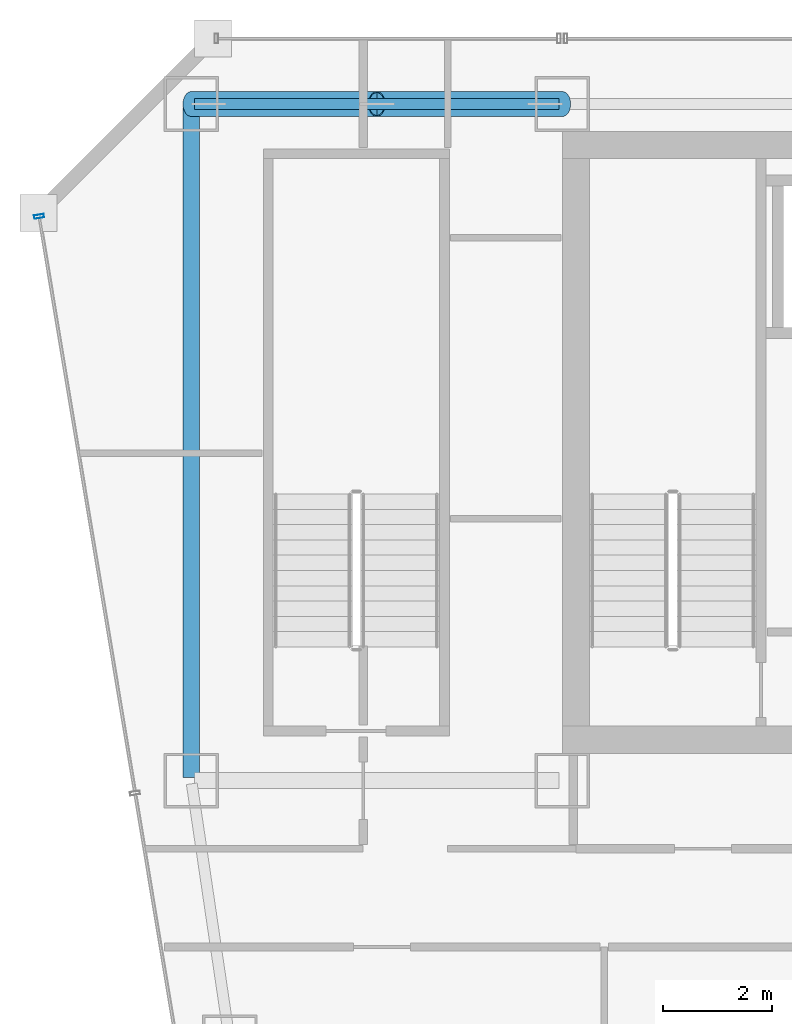
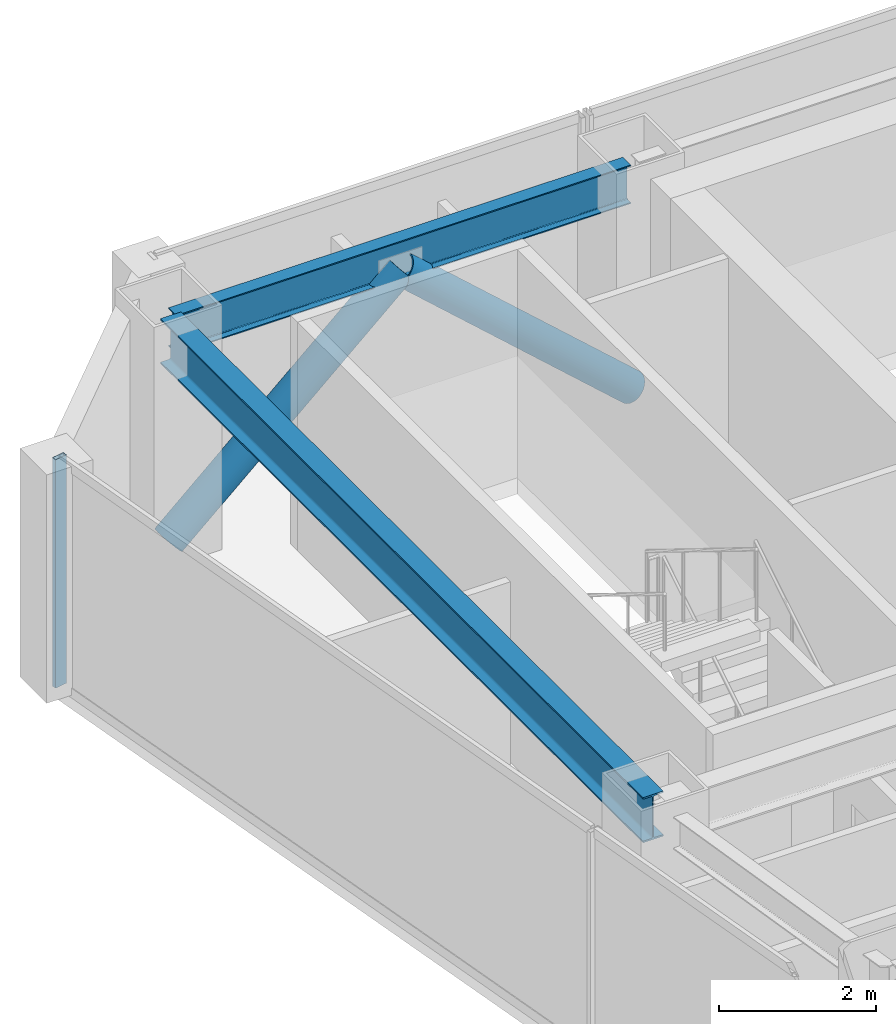
# One storey, part 20 of 36: 3 members, 2 beams, 1 element without a shape of its own.
"""IFC4 building model written with IfcOpenShell, lengths in metres."""

from ifc_helpers import new_model, si_unit, direction, frame, origin, origin_2d, place, context, subcontext, project, spatial, hollow_rectangle, hollow_circle, i_section, extrude, material, material_profile, profile_set, type_object, element, aggregate, save


model = new_model("IFC4")

# Units and contexts
model_context = context("Model", 3, precision=1e-05, world=origin(), true_north=direction((0.0, 1.0)))
body_context = subcontext(model_context, "Body", "Model", "MODEL_VIEW")
ifc_project = project(units=[si_unit("LENGTHUNIT", "METRE"), si_unit("AREAUNIT", "SQUARE_METRE"), si_unit("VOLUMEUNIT", "CUBIC_METRE"), si_unit("PLANEANGLEUNIT", "RADIAN"), si_unit("MASSUNIT", "GRAM", prefix="KILO")], contexts=[model_context])

# Site, building, storey
site_placement = place(None, origin())
site = spatial("IfcSite", under=ifc_project, at=site_placement, CompositionType="ELEMENT")
building_placement = place(site_placement, origin())
building = spatial("IfcBuilding", under=site, at=building_placement, Name="Saevonmaru Cultural Tower", CompositionType="ELEMENT")
storey_placement = place(building_placement, frame((0.0, 0.0, 152.39990234375)))
storey = spatial("IfcBuildingStorey", under=building, at=storey_placement, Name="L33", CompositionType="ELEMENT", Elevation=152.39990234375)

# Beams
ifc_material_1 = material(Name="Steel SM355", Category="steel")
ifc_material_profile_1 = material_profile(ifc_material_1, i_section(OverallWidth=0.300048828125, OverallDepth=0.699951171875, WebThickness=0.012939453125, FlangeThickness=0.02392578125, FilletRadius=0.02587890625, at=origin_2d()), Name="H-700x300x13x24")
ifc_profile_set_1 = profile_set([ifc_material_profile_1], Name="Steel SM355")
beam_type_1 = type_object("IfcBeamType", Name="BM-G-H700", PredefinedType="BEAM", material=ifc_profile_set_1)
beam_1_placement = place(storey_placement, frame((6.800048828125, 54.739990234375, 3.2001953125), z_axis=(0.0, -1.0, 0.0), x_axis=(1.0, 0.0, 0.0)))
element("IfcBeam", 1, at=beam_1_placement, inside=storey, type_object=beam_type_1, Name="L33 Spine Transverse Girder W", PredefinedType="BEAM", context=body_context, shape_type="SweptSolid", body=[
    extrude(i_section(OverallWidth=0.300048828125, OverallDepth=0.699951171875, WebThickness=0.012939453125, FlangeThickness=0.02392578125, FilletRadius=0.02587890625, at=origin_2d()), origin(), (0.0, 0.0, 1.0), 12.280029296875),
])
ifc_material_profile_2 = material_profile(ifc_material_1, i_section(OverallWidth=0.199951171875, OverallDepth=0.60009765625, WebThickness=0.010986328125, FlangeThickness=0.01708984375, FilletRadius=0.02197265625, at=origin_2d()), Name="H-600x200x11x17")
ifc_profile_set_2 = profile_set([ifc_material_profile_2], Name="Steel SM355")
beam_type_2 = type_object("IfcBeamType", Name="BM-SP-H600", PredefinedType="SPANDREL", material=ifc_profile_set_2)
beam_2_placement = place(storey_placement, frame((6.860107421875, 54.800048828125, 3.25), z_axis=(1.0, 0.0, 0.0), x_axis=(0.0, 1.0, 0.0)))
element("IfcBeam", 2, at=beam_2_placement, inside=storey, type_object=beam_type_2, Name="L33 North Spine Girder 1", PredefinedType="SPANDREL", context=body_context, shape_type="SweptSolid", body=[
    extrude(i_section(OverallWidth=0.199951171875, OverallDepth=0.60009765625, WebThickness=0.010986328125, FlangeThickness=0.01708984375, FilletRadius=0.02197265625, at=origin_2d()), origin(), (0.0, 0.0, 1.0), 6.679931640625),
])

# Members
ifc_material_2 = material(Name="Steel SM420", Category="steel")
ifc_material_profile_3 = material_profile(ifc_material_2, hollow_circle(Radius=0.228515625, WallThickness=0.02001953125, at=origin_2d()), Name="CHS-457.2x20")
ifc_profile_set_3 = profile_set([ifc_material_profile_3], Name="Steel SM420")
member_type_1 = type_object("IfcMemberType", Name="MB-PBR-CHS457", PredefinedType="BRACE", material=ifc_profile_set_3)
for number, where, z_axis, x_axis, name in (
    (3, (6.800048828125, 54.800048828125, 0.02001953125), (0.744366945704, 0.0, 0.667770806597), (0.0, 1.0, 0.0), "L33 Perimeter Braced-Tube Diagonal WN1"),
    (4, (13.60009765625, 54.800048828125, 0.02001953125), (-0.744390779303, 0.0, 0.66774423823), (0.0, -1.0, 0.0), "L33 Perimeter Braced-Tube Diagonal WN2"),
):
    element("IfcMember", number, at=place(storey_placement, frame(where, z_axis=z_axis, x_axis=x_axis)), inside=storey, type_object=member_type_1, Name=name, PredefinedType="BRACE", context=body_context, shape_type="SweptSolid", body=[
        extrude(hollow_circle(Radius=0.228515625, WallThickness=0.02001953125, at=origin_2d()), origin(), (0.0, 0.0, 1.0), 4.567626953125),
    ])

# Curtain wall, member
ifc_material_3 = material(Name="Satin Bronze Anodised Aluminium", Category="aluminium")
curtain_wall_type = type_object("IfcCurtainWallType", Name="CW-TYP-A", PredefinedType="NOTDEFINED", material=ifc_material_3)
curtain_wall_placement = place(storey_placement, origin())
curtain_wall = element("IfcCurtainWall", 5, at=curtain_wall_placement, inside=storey, type_object=curtain_wall_type, Name="L33 Unitised Curtain Wall E12", PredefinedType="NOTDEFINED")
ifc_material_profile_4 = material_profile(ifc_material_3, hollow_rectangle(XDim=0.06494140625, YDim=0.179931640625, WallThickness=0.00390625, at=origin_2d()), Name="ALU-MULL-180x65x4")
ifc_profile_set_4 = profile_set([ifc_material_profile_4], Name="Satin Bronze Anodised Aluminium")
member_type_2 = type_object("IfcMemberType", Name="ML-CW-180x65", PredefinedType="MULLION", material=ifc_profile_set_4)
member_placement = place(storey_placement, frame((4.009765625, 52.74072265625, 0.0), z_axis=(0.0, 0.0, 1.0), x_axis=(0.163998702345, -0.986460554523, 0.0)))
member = element("IfcMember", 6, at=member_placement, type_object=member_type_2, Name="CW-TW-L33-E12 mullion 1", PredefinedType="MULLION", context=body_context, shape_type="SweptSolid", body=[
    extrude(hollow_rectangle(XDim=0.06494140625, YDim=0.179931640625, WallThickness=0.00390625, at=origin_2d()), origin(), (0.0, 0.0, 1.0), 3.550048828125),
])
aggregate(curtain_wall, [member])

save(model, "model.ifc")
